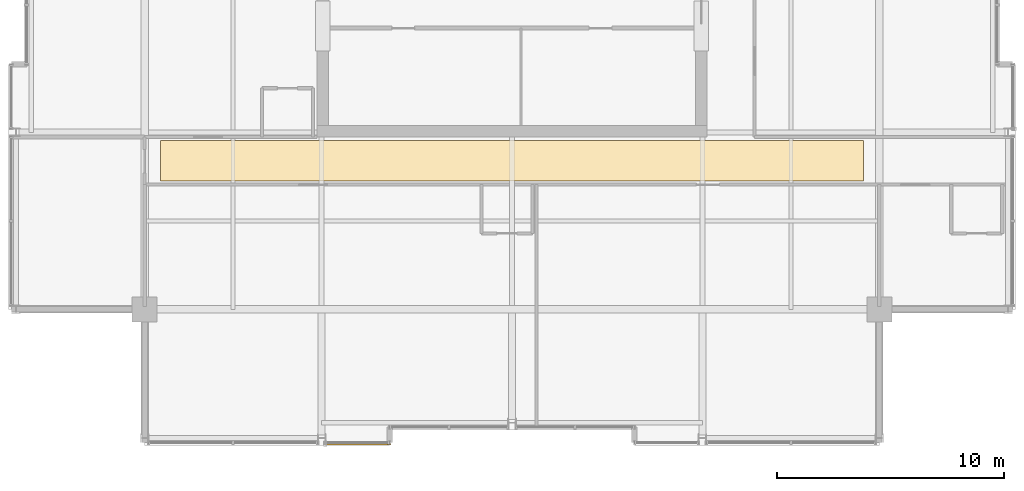
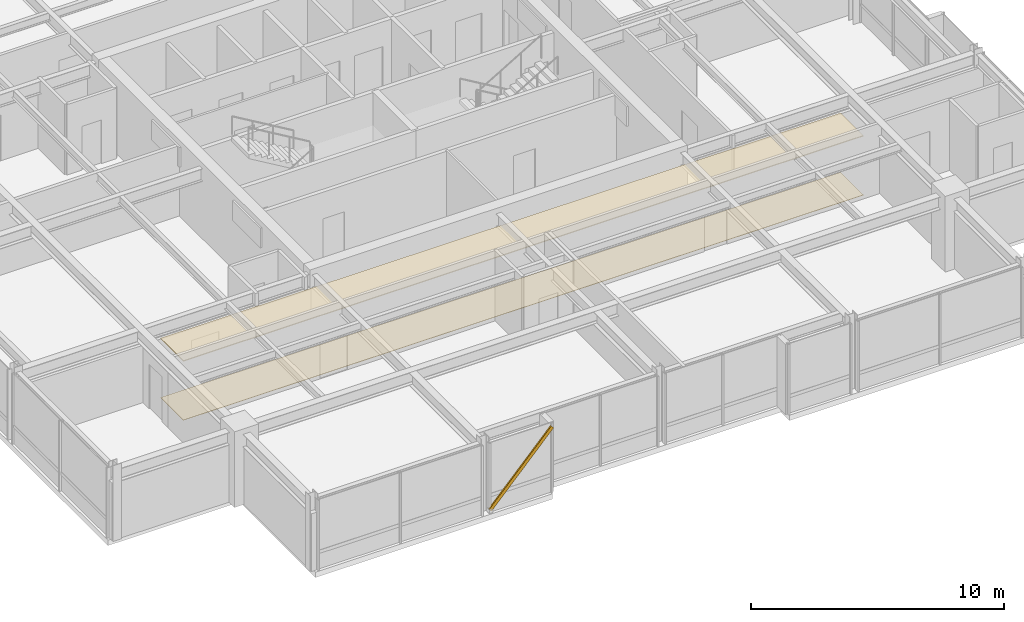
# One storey, part 31 of 33: 2 coverings, 1 shading device.
"""IFC4 building model written with IfcOpenShell, lengths in metres."""

from ifc_helpers import new_model, si_unit, direction, frame, origin, origin_2d, place, context, subcontext, project, spatial, polyline, hollow_rectangle, outline, extrude, material, layer, layer_set, material_profile, profile_set, type_object, element, save


model = new_model("IFC4")

# Units and contexts
model_context = context("Model", 3, precision=1e-05, world=origin(), true_north=direction((0.0, 1.0)))
body_context = subcontext(model_context, "Body", "Model", "MODEL_VIEW")
ifc_project = project(units=[si_unit("LENGTHUNIT", "METRE"), si_unit("AREAUNIT", "SQUARE_METRE"), si_unit("VOLUMEUNIT", "CUBIC_METRE"), si_unit("PLANEANGLEUNIT", "RADIAN"), si_unit("MASSUNIT", "GRAM", prefix="KILO")], contexts=[model_context])

# Site, building, storey
site_placement = place(None, origin())
site = spatial("IfcSite", under=ifc_project, at=site_placement, CompositionType="ELEMENT")
building_placement = place(site_placement, origin())
building = spatial("IfcBuilding", under=site, at=building_placement, Name="Drelvath Grand Hotel", CompositionType="ELEMENT")
storey_placement = place(building_placement, frame((0.0, 0.0, 283.25)))
storey = spatial("IfcBuildingStorey", under=building, at=storey_placement, Name="L74", CompositionType="ELEMENT", Elevation=283.25)

# Shading device
ifc_material_1 = material(Name="Platinum-Mist Anodised Aluminium", Category="aluminium")
ifc_material_profile = material_profile(ifc_material_1, hollow_rectangle(XDim=0.06494140625, YDim=0.159912109375, WallThickness=0.00390625, at=origin_2d()), Name="HSS160X65X4")
ifc_profile_set = profile_set([ifc_material_profile], Name="Platinum-Mist Anodised Aluminium")
shading_device_type = type_object("IfcShadingDeviceType", Name="Diagonal Solar Fin Platinum Anodised HSS160X65X4", PredefinedType="USERDEFINED", material=ifc_profile_set)
shading_device_placement = place(storey_placement, frame((-8.22998046875, 4.840087890625, 0.179931640625), z_axis=(0.682582554051, 0.0, 0.73080849537), x_axis=(0.0, 1.0, 0.0)))
element("IfcShadingDevice", 1, at=shading_device_placement, inside=storey, type_object=shading_device_type, Name="L74 Diagonal Anodised Fin CW05-L74-SW2", ObjectType="FIN", PredefinedType="USERDEFINED", context=body_context, shape_type="SweptSolid", body=[
    extrude(hollow_rectangle(XDim=0.06494140625, YDim=0.159912109375, WallThickness=0.00390625, at=origin_2d()), origin(), (0.0, 0.0, 1.0), 4.146240234375),
])

# Coverings
ifc_material_2 = material(Name="Woven Wool Broadloom Carpet")
ifc_layer_1 = layer(ifc_material_2, 0.01806640625)
ifc_layer_set_1 = layer_set([ifc_layer_1], Name="Woven Wool Broadloom Carpet")
covering_type_1 = type_object("IfcCoveringType", Name="Hospitality Broadloom Carpet 18", PredefinedType="FLOORING", material=ifc_layer_set_1)
covering_1_placement = place(storey_placement, origin())
element("IfcCovering", 2, at=covering_1_placement, inside=storey, type_object=covering_type_1, Name="L74 Upper Gallery Carpet", PredefinedType="FLOORING", context=body_context, shape_type="SweptSolid", body=[
    extrude(outline(polyline([(15.5, 16.449951171875), (15.5, 18.25), (-15.5, 18.25), (-15.5, 16.449951171875), (15.5, 16.449951171875)])), origin(), (0.0, 0.0, 1.0), 0.01806640625),
])
ifc_material_3 = material(Name="Anodised Aluminium Alloy", Category="aluminium")
ifc_layer_2 = layer(ifc_material_3, 0.0400390625)
ifc_layer_set_2 = layer_set([ifc_layer_2], Name="Anodised Aluminium Alloy")
covering_type_2 = type_object("IfcCoveringType", Name="Perforated Metal Corridor Ceiling 40", PredefinedType="CEILING", material=ifc_layer_set_2)
covering_2_placement = place(storey_placement, frame((0.0, 0.0, 2.840087890625)))
element("IfcCovering", 3, at=covering_2_placement, inside=storey, type_object=covering_type_2, Name="L74 Upper Gallery Ceiling", PredefinedType="CEILING", context=body_context, shape_type="SweptSolid", body=[
    extrude(outline(polyline([(15.5, 16.449951171875), (15.5, 18.25), (-15.5, 18.25), (-15.5, 16.449951171875), (15.5, 16.449951171875)])), origin(), (0.0, 0.0, 1.0), 0.039794921875),
])

save(model, "model.ifc")
